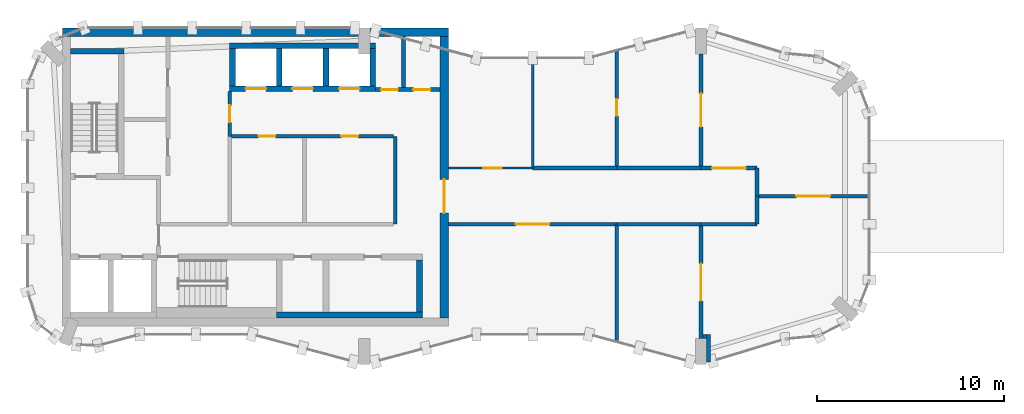
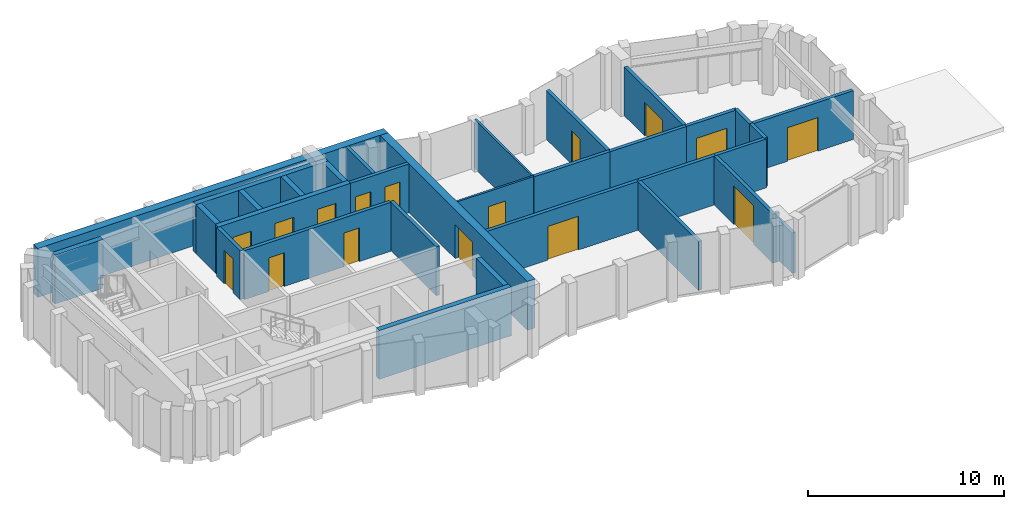
# One storey, part 4 of 6: 33 walls, 16 doors, 16 openings.
"""IFC4 building model written with IfcOpenShell, lengths in metres."""

from ifc_helpers import new_model, si_unit, direction, frame, frame_2d, origin, place, context, subcontext, project, spatial, rectangle, extrude, material, layer, layer_set, type_object, element, fill, save


model = new_model("IFC4")

# Units and contexts
model_context = context("Model", 3, precision=1e-05, world=origin(), true_north=direction((0.0, 1.0)))
body_context = subcontext(model_context, "Body", "Model", "MODEL_VIEW")
ifc_project = project(units=[si_unit("LENGTHUNIT", "METRE"), si_unit("AREAUNIT", "SQUARE_METRE"), si_unit("VOLUMEUNIT", "CUBIC_METRE"), si_unit("PLANEANGLEUNIT", "RADIAN"), si_unit("MASSUNIT", "GRAM", prefix="KILO")], contexts=[model_context])

# Site, building, storey
site_placement = place(None, origin())
site = spatial("IfcSite", under=ifc_project, at=site_placement, CompositionType="ELEMENT")
building_placement = place(site_placement, origin())
building = spatial("IfcBuilding", under=site, at=building_placement, Name="Plateau Cross Towers", CompositionType="ELEMENT")
storey_placement = place(building_placement, frame((0.0, 0.0, 291.39990234375)))
storey = spatial("IfcBuildingStorey", under=building, at=storey_placement, Name="L77 Crown 1", CompositionType="ELEMENT", Elevation=291.39990234375)

# Wall, opening, door
ifc_material_1 = material(Name="Concrete block, plastered both sides", Category="concrete")
ifc_layer_1 = layer(ifc_material_1, 0.199951171875)
ifc_layer_set_1 = layer_set([ifc_layer_1], Name="Concrete block, plastered both sides")
wall_type_1 = type_object("IfcWallType", Name="Core partition 200", PredefinedType="PARTITIONING", material=ifc_layer_set_1)
wall_1_placement = place(storey_placement, frame((10.800048828125, 12.199951171875, 0.0), z_axis=(0.0, 0.0, 1.0), x_axis=(0.0, 1.0, 0.0)))
wall_1 = element("IfcWall", 1, at=wall_1_placement, inside=storey, type_object=wall_type_1, Name="Core partition", PredefinedType="PARTITIONING", context=body_context, shape_type="SweptSolid", body=[
    extrude(rectangle(XDim=2.400146484375, YDim=0.199951171875, at=frame_2d((1.2001953125, 0.0))), origin(), (0.0, 0.0, 1.0), 3.050048828125),
])
opening_1_placement = place(wall_1_placement, frame((0.75, 0.0, 0.0)))
opening_1 = element("IfcOpeningElement", 2, at=opening_1_placement, cuts=wall_1, Name="Opening RD1", PredefinedType="OPENING", context=body_context, shape_type="SweptSolid", body=[
    extrude(rectangle(XDim=0.89990234375, YDim=2.10009765625, at=frame_2d((0.449951171875, 1.050048828125))), frame((0.0, 0.10986328125, 0.0), z_axis=(0.0, -1.0, 0.0), x_axis=(1.0, 0.0, 0.0)), (0.0, 0.0, 1.0), 0.219970703125),
])
ifc_material_2 = material(Name="Timber, fire-resisting leaf", Category="wood")
door_type_1 = type_object("IfcDoorType", Name="Core service door 900", OperationType="NOTDEFINED", PredefinedType="DOOR", material=ifc_material_2)
door_1_placement = place(opening_1_placement, origin())
door_1 = element("IfcDoor", 3, at=door_1_placement, inside=storey, type_object=door_type_1, Name="Core service door RD1", OperationType="SINGLE_SWING_LEFT", OverallHeight=2.10009765625, OverallWidth=0.89990234375, PredefinedType="DOOR", context=body_context, shape_type="SweptSolid", body=[
    extrude(rectangle(XDim=0.89990234375, YDim=2.10009765625, at=frame_2d((0.449951171875, 1.050048828125))), frame((0.0, 0.02490234375, 0.0), z_axis=(0.0, -1.0, 0.0), x_axis=(1.0, 0.0, 0.0)), (0.0, 0.0, 1.0), 0.050048828125),
])
fill(opening_1, door_1)

# Wall
wall_2_placement = place(storey_placement, frame((19.64990234375, 7.5, 0.0), z_axis=(0.0, 0.0, 1.0), x_axis=(0.0, 1.0, 0.0)))
element("IfcWall", 4, at=wall_2_placement, inside=storey, type_object=wall_type_1, Name="Core partition", PredefinedType="PARTITIONING", context=body_context, shape_type="SweptSolid", body=[
    extrude(rectangle(XDim=4.699951171875, YDim=0.199951171875, at=frame_2d((2.35009765625, 0.0))), origin(), (0.0, 0.0, 1.0), 3.050048828125),
])

# Wall, openings, doors
wall_3_placement = place(storey_placement, frame((10.89990234375, 12.199951171875, 0.0), z_axis=(0.0, 0.0, 1.0), x_axis=(1.0, 0.0, 0.0)))
wall_3 = element("IfcWall", 5, at=wall_3_placement, inside=storey, type_object=wall_type_1, Name="Core partition", PredefinedType="PARTITIONING", context=body_context, shape_type="SweptSolid", body=[
    extrude(rectangle(XDim=8.650146484375, YDim=0.199951171875, at=frame_2d((4.3251953125, 0.0))), origin(), (0.0, 0.0, 1.0), 3.050048828125),
])
opening_2_placement = place(wall_3_placement, frame((1.449951171875, 0.0, 0.0)))
opening_2 = element("IfcOpeningElement", 6, at=opening_2_placement, cuts=wall_3, Name="Opening RD1", PredefinedType="OPENING", context=body_context, shape_type="SweptSolid", body=[
    extrude(rectangle(XDim=0.89990234375, YDim=2.10009765625, at=frame_2d((0.449951171875, 1.050048828125))), frame((0.0, 0.10986328125, 0.0), z_axis=(0.0, -1.0, 0.0), x_axis=(1.0, 0.0, 0.0)), (0.0, 0.0, 1.0), 0.219970703125),
])
opening_3_placement = place(wall_3_placement, frame((5.875, 0.0, 0.0)))
opening_3 = element("IfcOpeningElement", 7, at=opening_3_placement, cuts=wall_3, Name="Opening RD1", PredefinedType="OPENING", context=body_context, shape_type="SweptSolid", body=[
    extrude(rectangle(XDim=0.89990234375, YDim=2.10009765625, at=frame_2d((0.449951171875, 1.050048828125))), frame((0.0, 0.10986328125, 0.0), z_axis=(0.0, -1.0, 0.0), x_axis=(1.0, 0.0, 0.0)), (0.0, 0.0, 1.0), 0.219970703125),
])
door_2_placement = place(opening_2_placement, origin())
door_2 = element("IfcDoor", 8, at=door_2_placement, inside=storey, type_object=door_type_1, Name="Core service door RD1", OperationType="SINGLE_SWING_LEFT", OverallHeight=2.10009765625, OverallWidth=0.89990234375, PredefinedType="DOOR", context=body_context, shape_type="SweptSolid", body=[
    extrude(rectangle(XDim=0.89990234375, YDim=2.10009765625, at=frame_2d((0.449951171875, 1.050048828125))), frame((0.0, 0.02490234375, 0.0), z_axis=(0.0, -1.0, 0.0), x_axis=(1.0, 0.0, 0.0)), (0.0, 0.0, 1.0), 0.050048828125),
])
fill(opening_2, door_2)
door_3_placement = place(opening_3_placement, origin())
door_3 = element("IfcDoor", 9, at=door_3_placement, inside=storey, type_object=door_type_1, Name="Core service door RD1", OperationType="SINGLE_SWING_LEFT", OverallHeight=2.10009765625, OverallWidth=0.89990234375, PredefinedType="DOOR", context=body_context, shape_type="SweptSolid", body=[
    extrude(rectangle(XDim=0.89990234375, YDim=2.10009765625, at=frame_2d((0.449951171875, 1.050048828125))), frame((0.0, 0.02490234375, 0.0), z_axis=(0.0, -1.0, 0.0), x_axis=(1.0, 0.0, 0.0)), (0.0, 0.0, 1.0), 0.050048828125),
])
fill(opening_3, door_3)

wall_4_placement = place(storey_placement, frame((18.60009765625, 14.699951171875, 0.0), z_axis=(0.0, 0.0, 1.0), x_axis=(1.0, 0.0, 0.0)))
wall_4 = element("IfcWall", 10, at=wall_4_placement, inside=storey, type_object=wall_type_1, Name="Core partition", PredefinedType="PARTITIONING", context=body_context, shape_type="SweptSolid", body=[
    extrude(rectangle(XDim=3.449951171875, YDim=0.199951171875, at=frame_2d((1.72509765625, 0.0))), origin(), (0.0, 0.0, 1.0), 3.050048828125),
])
opening_4_placement = place(wall_4_placement, frame((0.300048828125, 0.0, 0.0)))
opening_4 = element("IfcOpeningElement", 11, at=opening_4_placement, cuts=wall_4, Name="Opening RD2", PredefinedType="OPENING", context=body_context, shape_type="SweptSolid", body=[
    extrude(rectangle(XDim=0.89990234375, YDim=2.10009765625, at=frame_2d((0.449951171875, 1.050048828125))), frame((0.0, 0.10986328125, 0.0), z_axis=(0.0, -1.0, 0.0), x_axis=(1.0, 0.0, 0.0)), (0.0, 0.0, 1.0), 0.219970703125),
])
opening_5_placement = place(wall_4_placement, frame((2.02490234375, 0.0, 0.0)))
opening_5 = element("IfcOpeningElement", 12, at=opening_5_placement, cuts=wall_4, Name="Opening RD2", PredefinedType="OPENING", context=body_context, shape_type="SweptSolid", body=[
    extrude(rectangle(XDim=0.89990234375, YDim=2.10009765625, at=frame_2d((0.449951171875, 1.050048828125))), frame((0.0, 0.10986328125, 0.0), z_axis=(0.0, -1.0, 0.0), x_axis=(1.0, 0.0, 0.0)), (0.0, 0.0, 1.0), 0.219970703125),
])
ifc_material_3 = material(Name="Steel, fire-resisting leaf", Category="steel")
door_type_2 = type_object("IfcDoorType", Name="Core riser door 900", OperationType="NOTDEFINED", PredefinedType="DOOR", material=ifc_material_3)
door_4_placement = place(opening_4_placement, origin())
door_4 = element("IfcDoor", 13, at=door_4_placement, inside=storey, type_object=door_type_2, Name="Core riser door RD2", OperationType="SINGLE_SWING_LEFT", OverallHeight=2.10009765625, OverallWidth=0.89990234375, PredefinedType="DOOR", context=body_context, shape_type="SweptSolid", body=[
    extrude(rectangle(XDim=0.89990234375, YDim=2.10009765625, at=frame_2d((0.449951171875, 1.050048828125))), frame((0.0, 0.02490234375, 0.0), z_axis=(0.0, -1.0, 0.0), x_axis=(1.0, 0.0, 0.0)), (0.0, 0.0, 1.0), 0.050048828125),
])
fill(opening_4, door_4)
door_5_placement = place(opening_5_placement, origin())
door_5 = element("IfcDoor", 14, at=door_5_placement, inside=storey, type_object=door_type_2, Name="Core riser door RD2", OperationType="SINGLE_SWING_LEFT", OverallHeight=2.10009765625, OverallWidth=0.89990234375, PredefinedType="DOOR", context=body_context, shape_type="SweptSolid", body=[
    extrude(rectangle(XDim=0.89990234375, YDim=2.10009765625, at=frame_2d((0.449951171875, 1.050048828125))), frame((0.0, 0.02490234375, 0.0), z_axis=(0.0, -1.0, 0.0), x_axis=(1.0, 0.0, 0.0)), (0.0, 0.0, 1.0), 0.050048828125),
])
fill(opening_5, door_5)

# Walls
wall_5_placement = place(storey_placement, frame((20.10009765625, 14.800048828125, 0.0), z_axis=(0.0, 0.0, 1.0), x_axis=(0.0, 1.0, 0.0)))
element("IfcWall", 15, at=wall_5_placement, inside=storey, type_object=wall_type_1, Name="Core partition", PredefinedType="PARTITIONING", context=body_context, shape_type="SweptSolid", body=[
    extrude(rectangle(XDim=2.75, YDim=0.199951171875, at=frame_2d((1.375, 0.0))), origin(), (0.0, 0.0, 1.0), 3.050048828125),
])
ifc_material_4 = material(Name="Concrete C60/75", Category="concrete")
ifc_layer_2 = layer(ifc_material_4, 0.300048828125)
ifc_layer_set_2 = layer_set([ifc_layer_2], Name="Concrete C60/75")
wall_type_2 = type_object("IfcWallType", Name="Core shaft wall 300", PredefinedType="SHEAR", material=ifc_layer_set_2)
wall_6_placement = place(storey_placement, frame((13.300048828125, 2.64990234375, 0.0), z_axis=(0.0, 0.0, 1.0), x_axis=(1.0, 0.0, 0.0)))
element("IfcWall", 16, at=wall_6_placement, inside=storey, type_object=wall_type_2, Name="A-sb-back3@L77 Crown 1", PredefinedType="SHEAR", context=body_context, shape_type="SweptSolid", body=[
    extrude(rectangle(XDim=7.800048828125, YDim=0.300048828125, at=frame_2d((3.89990234375, 0.0))), origin(), (0.0, 0.0, 1.0), 3.050048828125),
])
wall_7_placement = place(storey_placement, frame((20.949951171875, 2.800048828125, 0.0), z_axis=(0.0, 0.0, 1.0), x_axis=(0.0, 1.0, 0.0)))
element("IfcWall", 17, at=wall_7_placement, inside=storey, type_object=wall_type_2, Name="A-sb-v6@L77 Crown 1", PredefinedType="SHEAR", context=body_context, shape_type="SweptSolid", body=[
    extrude(rectangle(XDim=2.800048828125, YDim=0.300048828125, at=frame_2d((1.39990234375, 0.0))), origin(), (0.0, 0.0, 1.0), 3.050048828125),
])
wall_8_placement = place(storey_placement, frame((2.300048828125, 16.75, 0.0), z_axis=(0.0, 0.0, 1.0), x_axis=(1.0, 0.0, 0.0)))
element("IfcWall", 18, at=wall_8_placement, inside=storey, type_object=wall_type_2, Name="A-st1-N@L77 Crown 1", PredefinedType="SHEAR", context=body_context, shape_type="SweptSolid", body=[
    extrude(rectangle(XDim=2.849853515625, YDim=0.300048828125, at=frame_2d((1.4248046875, 0.0))), origin(), (0.0, 0.0, 1.0), 3.050048828125),
])
wall_9_placement = place(storey_placement, frame((10.800048828125, 17.050048828125, 0.0), z_axis=(0.0, 0.0, 1.0), x_axis=(1.0, 0.0, 0.0)))
element("IfcWall", 19, at=wall_9_placement, inside=storey, type_object=wall_type_2, Name="A-nb-back@L77 Crown 1", PredefinedType="SHEAR", context=body_context, shape_type="SweptSolid", body=[
    extrude(rectangle(XDim=7.800048828125, YDim=0.300048828125, at=frame_2d((3.89990234375, 0.0))), origin(), (0.0, 0.0, 1.0), 3.050048828125),
])

# Wall, openings, doors
wall_10_placement = place(storey_placement, frame((10.800048828125, 14.75, 0.0), z_axis=(0.0, 0.0, 1.0), x_axis=(1.0, 0.0, 0.0)))
wall_10 = element("IfcWall", 20, at=wall_10_placement, inside=storey, type_object=wall_type_2, Name="A-nb-front@L77 Crown 1", PredefinedType="SHEAR", context=body_context, shape_type="SweptSolid", body=[
    extrude(rectangle(XDim=7.800048828125, YDim=0.300048828125, at=frame_2d((3.89990234375, 0.0))), origin(), (0.0, 0.0, 1.0), 3.050048828125),
])
opening_6_placement = place(wall_10_placement, frame((0.85009765625, 0.0, 0.0)))
opening_6 = element("IfcOpeningElement", 21, at=opening_6_placement, cuts=wall_10, Name="Opening LD", PredefinedType="OPENING", context=body_context, shape_type="SweptSolid", body=[
    extrude(rectangle(XDim=1.10009765625, YDim=2.10009765625, at=frame_2d((0.550048828125, 1.050048828125))), frame((0.0, 0.159912109375, 0.0), z_axis=(0.0, -1.0, 0.0), x_axis=(1.0, 0.0, 0.0)), (0.0, 0.0, 1.0), 0.320068359375),
])
opening_7_placement = place(wall_10_placement, frame((3.35009765625, 0.0, 0.0)))
opening_7 = element("IfcOpeningElement", 22, at=opening_7_placement, cuts=wall_10, Name="Opening LD", PredefinedType="OPENING", context=body_context, shape_type="SweptSolid", body=[
    extrude(rectangle(XDim=1.10009765625, YDim=2.10009765625, at=frame_2d((0.550048828125, 1.050048828125))), frame((0.0, 0.159912109375, 0.0), z_axis=(0.0, -1.0, 0.0), x_axis=(1.0, 0.0, 0.0)), (0.0, 0.0, 1.0), 0.320068359375),
])
opening_8_placement = place(wall_10_placement, frame((5.85009765625, 0.0, 0.0)))
opening_8 = element("IfcOpeningElement", 23, at=opening_8_placement, cuts=wall_10, Name="Opening LD", PredefinedType="OPENING", context=body_context, shape_type="SweptSolid", body=[
    extrude(rectangle(XDim=1.10009765625, YDim=2.10009765625, at=frame_2d((0.550048828125, 1.050048828125))), frame((0.0, 0.159912109375, 0.0), z_axis=(0.0, -1.0, 0.0), x_axis=(1.0, 0.0, 0.0)), (0.0, 0.0, 1.0), 0.320068359375),
])
ifc_material_5 = material(Name="Stainless steel, fire-resisting sliding leaves", Category="steel")
door_type_3 = type_object("IfcDoorType", Name="Lift landing door 1100", OperationType="NOTDEFINED", PredefinedType="DOOR", material=ifc_material_5)
door_6_placement = place(opening_6_placement, origin())
door_6 = element("IfcDoor", 24, at=door_6_placement, inside=storey, type_object=door_type_3, Name="Lift landing door LD", OperationType="DOUBLE_DOOR_SLIDING", OverallHeight=2.10009765625, OverallWidth=1.10009765625, PredefinedType="DOOR", context=body_context, shape_type="SweptSolid", body=[
    extrude(rectangle(XDim=1.10009765625, YDim=2.10009765625, at=frame_2d((0.550048828125, 1.050048828125))), frame((0.0, 0.02490234375, 0.0), z_axis=(0.0, -1.0, 0.0), x_axis=(1.0, 0.0, 0.0)), (0.0, 0.0, 1.0), 0.050048828125),
])
fill(opening_6, door_6)
door_7_placement = place(opening_7_placement, origin())
door_7 = element("IfcDoor", 25, at=door_7_placement, inside=storey, type_object=door_type_3, Name="Lift landing door LD", OperationType="DOUBLE_DOOR_SLIDING", OverallHeight=2.10009765625, OverallWidth=1.10009765625, PredefinedType="DOOR", context=body_context, shape_type="SweptSolid", body=[
    extrude(rectangle(XDim=1.10009765625, YDim=2.10009765625, at=frame_2d((0.550048828125, 1.050048828125))), frame((0.0, 0.02490234375, 0.0), z_axis=(0.0, -1.0, 0.0), x_axis=(1.0, 0.0, 0.0)), (0.0, 0.0, 1.0), 0.050048828125),
])
fill(opening_7, door_7)
door_8_placement = place(opening_8_placement, origin())
door_8 = element("IfcDoor", 26, at=door_8_placement, inside=storey, type_object=door_type_3, Name="Lift landing door LD", OperationType="DOUBLE_DOOR_SLIDING", OverallHeight=2.10009765625, OverallWidth=1.10009765625, PredefinedType="DOOR", context=body_context, shape_type="SweptSolid", body=[
    extrude(rectangle(XDim=1.10009765625, YDim=2.10009765625, at=frame_2d((0.550048828125, 1.050048828125))), frame((0.0, 0.02490234375, 0.0), z_axis=(0.0, -1.0, 0.0), x_axis=(1.0, 0.0, 0.0)), (0.0, 0.0, 1.0), 0.050048828125),
])
fill(opening_8, door_8)

# Walls
for number, where, z_axis, x_axis, name in (
    (27, (10.949951171875, 14.89990234375, 0.0), (0.0, 0.0, 1.0), (0.0, 1.0, 0.0), "A-nb-v1@L77 Crown 1"),
    (28, (13.449951171875, 14.89990234375, 0.0), (0.0, 0.0, 1.0), (0.0, 1.0, 0.0), "A-nb-v2@L77 Crown 1"),
    (29, (15.949951171875, 14.89990234375, 0.0), (0.0, 0.0, 1.0), (0.0, 1.0, 0.0), "A-nb-v3@L77 Crown 1"),
    (30, (18.449951171875, 14.89990234375, 0.0), (0.0, 0.0, 1.0), (0.0, 1.0, 0.0), "A-nb-v4@L77 Crown 1"),
):
    element("IfcWall", number, at=place(storey_placement, frame(where, z_axis=z_axis, x_axis=x_axis)), inside=storey, type_object=wall_type_2, Name=name, PredefinedType="SHEAR", context=body_context, shape_type="SweptSolid", body=[
        extrude(rectangle(XDim=2.0, YDim=0.300048828125, at=frame_2d((1.0, 0.0))), origin(), (0.0, 0.0, 1.0), 3.050048828125),
    ])
ifc_layer_3 = layer(ifc_material_4, 0.449951171875)
ifc_layer_set_3 = layer_set([ifc_layer_3], Name="Concrete C60/75")
wall_type_3 = type_object("IfcWallType", Name="Core shell wall 450", PredefinedType="SHEAR", material=ifc_layer_set_3)
wall_11_placement = place(storey_placement, frame((1.85009765625, 17.77490234375, 0.0), z_axis=(0.0, 0.0, 1.0), x_axis=(1.0, 0.0, 0.0)))
element("IfcWall", 31, at=wall_11_placement, inside=storey, type_object=wall_type_3, Name="A-core-N@L77 Crown 1", PredefinedType="SHEAR", context=body_context, shape_type="SweptSolid", body=[
    extrude(rectangle(XDim=20.64990234375, YDim=0.449951171875, at=frame_2d((10.324951171875, 0.0))), origin(), (0.0, 0.0, 1.0), 3.050048828125),
])

# Wall, opening, door
wall_12_placement = place(storey_placement, frame((22.27490234375, 2.5, 0.0), z_axis=(0.0, 0.0, 1.0), x_axis=(0.0, 1.0, 0.0)))
wall_12 = element("IfcWall", 32, at=wall_12_placement, inside=storey, type_object=wall_type_3, Name="A-core-E@L77 Crown 1", PredefinedType="SHEAR", context=body_context, shape_type="SweptSolid", body=[
    extrude(rectangle(XDim=15.050048828125, YDim=0.449951171875, at=frame_2d((7.52490234375, 0.0))), origin(), (0.0, 0.0, 1.0), 3.050048828125),
])
opening_9_placement = place(wall_12_placement, frame((5.60009765625, 0.0, 0.0)))
opening_9 = element("IfcOpeningElement", 33, at=opening_9_placement, cuts=wall_12, Name="Opening CD", PredefinedType="OPENING", context=body_context, shape_type="SweptSolid", body=[
    extrude(rectangle(XDim=1.800048828125, YDim=2.10009765625, at=frame_2d((0.89990234375, 1.050048828125))), frame((0.0, 0.23486328125, 0.0), z_axis=(0.0, -1.0, 0.0), x_axis=(1.0, 0.0, 0.0)), (0.0, 0.0, 1.0), 0.469970703125),
])
ifc_material_6 = material(Name="Steel, fire-resisting leaves", Category="steel")
door_type_4 = type_object("IfcDoorType", Name="Corridor door pair 1800", OperationType="NOTDEFINED", PredefinedType="DOOR", material=ifc_material_6)
door_9_placement = place(opening_9_placement, origin())
door_9 = element("IfcDoor", 34, at=door_9_placement, inside=storey, type_object=door_type_4, Name="Corridor door pair CD", OperationType="DOUBLE_DOOR_SINGLE_SWING", OverallHeight=2.10009765625, OverallWidth=1.800048828125, PredefinedType="DOOR", context=body_context, shape_type="SweptSolid", body=[
    extrude(rectangle(XDim=1.800048828125, YDim=2.10009765625, at=frame_2d((0.89990234375, 1.050048828125))), frame((0.0, 0.02490234375, 0.0), z_axis=(0.0, -1.0, 0.0), x_axis=(1.0, 0.0, 0.0)), (0.0, 0.0, 1.0), 0.050048828125),
])
fill(opening_9, door_9)

ifc_material_7 = material(Name="Gypsum board on steel studs", Category="steel")
ifc_layer_4 = layer(ifc_material_7, 0.199951171875)
ifc_layer_set_4 = layer_set([ifc_layer_4], Name="Gypsum board on steel studs")
wall_type_4 = type_object("IfcWallType", Name="Podium partition 200", PredefinedType="PARTITIONING", material=ifc_layer_set_4)
wall_13_placement = place(storey_placement, frame((31.5, 7.5, 0.0), z_axis=(0.0, 0.0, 1.0), x_axis=(-1.0, 0.0, 0.0)))
wall_13 = element("IfcWall", 35, at=wall_13_placement, inside=storey, type_object=wall_type_4, Name="Partition wall", PredefinedType="PARTITIONING", context=body_context, shape_type="SweptSolid", body=[
    extrude(rectangle(XDim=9.0, YDim=0.199951171875, at=frame_2d((4.5, 0.0))), origin(), (0.0, 0.0, 1.0), 3.050048828125),
])
opening_10_placement = place(wall_13_placement, frame((3.60009765625, 0.0, 0.0)))
opening_10 = element("IfcOpeningElement", 36, at=opening_10_placement, cuts=wall_13, Name="Opening 771-04", PredefinedType="OPENING", context=body_context, shape_type="SweptSolid", body=[
    extrude(rectangle(XDim=1.800048828125, YDim=2.10009765625, at=frame_2d((0.89990234375, 1.050048828125))), frame((0.0, 0.10986328125, 0.0), z_axis=(0.0, -1.0, 0.0), x_axis=(1.0, 0.0, 0.0)), (0.0, 0.0, 1.0), 0.219970703125),
])
ifc_material_8 = material(Name="Aluminium frame, toughened glass", Category="aluminium")
door_type_5 = type_object("IfcDoorType", Name="Podium door pair 1800", OperationType="NOTDEFINED", PredefinedType="DOOR", material=ifc_material_8)
door_10_placement = place(opening_10_placement, origin())
door_10 = element("IfcDoor", 37, at=door_10_placement, inside=storey, type_object=door_type_5, Name="Door 771-04", OperationType="DOUBLE_DOOR_SINGLE_SWING", OverallHeight=2.10009765625, OverallWidth=1.800048828125, PredefinedType="DOOR", context=body_context, shape_type="SweptSolid", body=[
    extrude(rectangle(XDim=1.800048828125, YDim=2.10009765625, at=frame_2d((0.89990234375, 1.050048828125))), frame((0.0, 0.02490234375, 0.0), z_axis=(0.0, -1.0, 0.0), x_axis=(1.0, 0.0, 0.0)), (0.0, 0.0, 1.0), 0.050048828125),
])
fill(opening_10, door_10)

wall_14_placement = place(storey_placement, frame((36.0, 7.5, 0.0), z_axis=(0.0, 0.0, 1.0), x_axis=(0.0, -1.0, 0.0)))
wall_14 = element("IfcWall", 38, at=wall_14_placement, inside=storey, type_object=wall_type_4, Name="Partition wall", PredefinedType="PARTITIONING", context=body_context, shape_type="SweptSolid", body=[
    extrude(rectangle(XDim=6.10009765625, YDim=0.199951171875, at=frame_2d((3.050048828125, 0.0))), origin(), (0.0, 0.0, 1.0), 3.050048828125),
])
opening_11_placement = place(wall_14_placement, frame((2.10009765625, 0.0, 0.0)))
opening_11 = element("IfcOpeningElement", 39, at=opening_11_placement, cuts=wall_14, Name="Opening 771-01", PredefinedType="OPENING", context=body_context, shape_type="SweptSolid", body=[
    extrude(rectangle(XDim=2.0, YDim=2.39990234375, at=frame_2d((1.0, 1.199951171875))), frame((0.0, 0.10986328125, 0.0), z_axis=(0.0, -1.0, 0.0), x_axis=(1.0, 0.0, 0.0)), (0.0, 0.0, 1.0), 0.219970703125),
])
door_type_6 = type_object("IfcDoorType", Name="Shop entrance double door 2000x2400", OperationType="NOTDEFINED", PredefinedType="DOOR", material=ifc_material_8)
door_11_placement = place(opening_11_placement, origin())
door_11 = element("IfcDoor", 40, at=door_11_placement, inside=storey, type_object=door_type_6, Name="Door 771-01", OperationType="SINGLE_SWING_LEFT", OverallHeight=2.39990234375, OverallWidth=2.0, PredefinedType="DOOR", context=body_context, shape_type="SweptSolid", body=[
    extrude(rectangle(XDim=2.0, YDim=2.39990234375, at=frame_2d((1.0, 1.199951171875))), frame((0.0, 0.02490234375, 0.0), z_axis=(0.0, -1.0, 0.0), x_axis=(1.0, 0.0, 0.0)), (0.0, 0.0, 1.0), 0.050048828125),
])
fill(opening_11, door_11)

# Walls
wall_15_placement = place(storey_placement, frame((36.10009765625, 1.5, 0.0), z_axis=(0.0, 0.0, 1.0), x_axis=(1.0, 0.0, 0.0)))
element("IfcWall", 41, at=wall_15_placement, inside=storey, type_object=wall_type_4, Name="Partition wall", PredefinedType="PARTITIONING", context=body_context, shape_type="SweptSolid", body=[
    extrude(rectangle(XDim=0.199951171875, YDim=0.199951171875, at=frame_2d((0.10009765625, 0.0))), origin(), (0.0, 0.0, 1.0), 3.050048828125),
])
wall_16_placement = place(storey_placement, frame((36.39990234375, 1.60009765625, 0.0), z_axis=(0.0, 0.0, 1.0), x_axis=(0.0, -1.0, 0.0)))
element("IfcWall", 42, at=wall_16_placement, inside=storey, type_object=wall_type_4, Name="Partition wall", PredefinedType="PARTITIONING", context=body_context, shape_type="SweptSolid", body=[
    extrude(rectangle(XDim=1.47900390625, YDim=0.199951171875, at=frame_2d((0.739501953125, 0.0))), origin(), (0.0, 0.0, 1.0), 2.51708984375),
])

# Wall, opening, door
wall_17_placement = place(storey_placement, frame((36.0, 16.60009765625, 0.0), z_axis=(0.0, 0.0, 1.0), x_axis=(0.0, -1.0, 0.0)))
wall_17 = element("IfcWall", 43, at=wall_17_placement, inside=storey, type_object=wall_type_4, Name="Partition wall", PredefinedType="PARTITIONING", context=body_context, shape_type="SweptSolid", body=[
    extrude(rectangle(XDim=6.10009765625, YDim=0.199951171875, at=frame_2d((3.050048828125, 0.0))), origin(), (0.0, 0.0, 1.0), 3.050048828125),
])
opening_12_placement = place(wall_17_placement, frame((2.10009765625, 0.0, 0.0)))
opening_12 = element("IfcOpeningElement", 44, at=opening_12_placement, cuts=wall_17, Name="Opening 771-05", PredefinedType="OPENING", context=body_context, shape_type="SweptSolid", body=[
    extrude(rectangle(XDim=1.800048828125, YDim=2.10009765625, at=frame_2d((0.89990234375, 1.050048828125))), frame((0.0, 0.10986328125, 0.0), z_axis=(0.0, -1.0, 0.0), x_axis=(1.0, 0.0, 0.0)), (0.0, 0.0, 1.0), 0.219970703125),
])
door_12_placement = place(opening_12_placement, origin())
door_12 = element("IfcDoor", 45, at=door_12_placement, inside=storey, type_object=door_type_5, Name="Door 771-05", OperationType="DOUBLE_DOOR_SINGLE_SWING", OverallHeight=2.10009765625, OverallWidth=1.800048828125, PredefinedType="DOOR", context=body_context, shape_type="SweptSolid", body=[
    extrude(rectangle(XDim=1.800048828125, YDim=2.10009765625, at=frame_2d((0.89990234375, 1.050048828125))), frame((0.0, 0.02490234375, 0.0), z_axis=(0.0, -1.0, 0.0), x_axis=(1.0, 0.0, 0.0)), (0.0, 0.0, 1.0), 0.050048828125),
])
fill(opening_12, door_12)

wall_18_placement = place(storey_placement, frame((31.5, 16.794921875, 0.0), z_axis=(0.0, 0.0, 1.0), x_axis=(0.0, -1.0, 0.0)))
wall_18 = element("IfcWall", 46, at=wall_18_placement, inside=storey, type_object=wall_type_4, Name="Partition wall", PredefinedType="PARTITIONING", context=body_context, shape_type="SweptSolid", body=[
    extrude(rectangle(XDim=6.294921875, YDim=0.199951171875, at=frame_2d((3.1474609375, 0.0))), origin(), (0.0, 0.0, 1.0), 3.050048828125),
])
opening_13_placement = place(wall_18_placement, frame((2.60009765625, 0.0, 0.0)))
opening_13 = element("IfcOpeningElement", 47, at=opening_13_placement, cuts=wall_18, Name="Opening 771-03", PredefinedType="OPENING", context=body_context, shape_type="SweptSolid", body=[
    extrude(rectangle(XDim=0.89990234375, YDim=2.10009765625, at=frame_2d((0.449951171875, 1.050048828125))), frame((0.0, 0.10986328125, 0.0), z_axis=(0.0, -1.0, 0.0), x_axis=(1.0, 0.0, 0.0)), (0.0, 0.0, 1.0), 0.219970703125),
])
ifc_material_9 = material(Name="Timber leaf", Category="wood")
door_type_7 = type_object("IfcDoorType", Name="Podium room door 900", OperationType="NOTDEFINED", PredefinedType="DOOR", material=ifc_material_9)
door_13_placement = place(opening_13_placement, origin())
door_13 = element("IfcDoor", 48, at=door_13_placement, inside=storey, type_object=door_type_7, Name="Door 771-03", OperationType="SINGLE_SWING_LEFT", OverallHeight=2.10009765625, OverallWidth=0.89990234375, PredefinedType="DOOR", context=body_context, shape_type="SweptSolid", body=[
    extrude(rectangle(XDim=0.89990234375, YDim=2.10009765625, at=frame_2d((0.449951171875, 1.050048828125))), frame((0.0, 0.02490234375, 0.0), z_axis=(0.0, -1.0, 0.0), x_axis=(1.0, 0.0, 0.0)), (0.0, 0.0, 1.0), 0.050048828125),
])
fill(opening_13, door_13)

# Wall
wall_19_placement = place(storey_placement, frame((31.5, 7.5, 0.0), z_axis=(0.0, 0.0, 1.0), x_axis=(0.0, -1.0, 0.0)))
element("IfcWall", 49, at=wall_19_placement, inside=storey, type_object=wall_type_4, Name="Partition wall", PredefinedType="PARTITIONING", context=body_context, shape_type="SweptSolid", body=[
    extrude(rectangle(XDim=6.294921875, YDim=0.199951171875, at=frame_2d((3.1474609375, 0.0))), origin(), (0.0, 0.0, 1.0), 3.050048828125),
])

# Wall, opening, door
wall_20_placement = place(storey_placement, frame((39.0, 9.0, 0.0), z_axis=(0.0, 0.0, 1.0), x_axis=(1.0, 0.0, 0.0)))
wall_20 = element("IfcWall", 50, at=wall_20_placement, inside=storey, type_object=wall_type_4, Name="Partition wall", PredefinedType="PARTITIONING", context=body_context, shape_type="SweptSolid", body=[
    extrude(rectangle(XDim=6.0, YDim=0.199951171875, at=frame_2d((3.0, 0.0))), origin(), (0.0, 0.0, 1.0), 3.050048828125),
])
opening_14_placement = place(wall_20_placement, frame((2.10009765625, 0.0, 0.0)))
opening_14 = element("IfcOpeningElement", 51, at=opening_14_placement, cuts=wall_20, Name="Opening 771-06", PredefinedType="OPENING", context=body_context, shape_type="SweptSolid", body=[
    extrude(rectangle(XDim=1.800048828125, YDim=2.10009765625, at=frame_2d((0.89990234375, 1.050048828125))), frame((0.0, 0.10986328125, 0.0), z_axis=(0.0, -1.0, 0.0), x_axis=(1.0, 0.0, 0.0)), (0.0, 0.0, 1.0), 0.219970703125),
])
door_14_placement = place(opening_14_placement, origin())
door_14 = element("IfcDoor", 52, at=door_14_placement, inside=storey, type_object=door_type_5, Name="Door 771-06", OperationType="DOUBLE_DOOR_SINGLE_SWING", OverallHeight=2.10009765625, OverallWidth=1.800048828125, PredefinedType="DOOR", context=body_context, shape_type="SweptSolid", body=[
    extrude(rectangle(XDim=1.800048828125, YDim=2.10009765625, at=frame_2d((0.89990234375, 1.050048828125))), frame((0.0, 0.02490234375, 0.0), z_axis=(0.0, -1.0, 0.0), x_axis=(1.0, 0.0, 0.0)), (0.0, 0.0, 1.0), 0.050048828125),
])
fill(opening_14, door_14)

# Walls
wall_21_placement = place(storey_placement, frame((39.0, 9.0, 0.0), z_axis=(0.0, 0.0, 1.0), x_axis=(0.0, -1.0, 0.0)))
element("IfcWall", 53, at=wall_21_placement, inside=storey, type_object=wall_type_4, Name="Partition wall", PredefinedType="PARTITIONING", context=body_context, shape_type="SweptSolid", body=[
    extrude(rectangle(XDim=1.5, YDim=0.199951171875, at=frame_2d((0.75, 0.0))), origin(), (0.0, 0.0, 1.0), 3.050048828125),
])
wall_22_placement = place(storey_placement, frame((39.0, 7.5, 0.0), z_axis=(0.0, 0.0, 1.0), x_axis=(-1.0, 0.0, 0.0)))
element("IfcWall", 54, at=wall_22_placement, inside=storey, type_object=wall_type_4, Name="Partition wall", PredefinedType="PARTITIONING", context=body_context, shape_type="SweptSolid", body=[
    extrude(rectangle(XDim=3.0, YDim=0.199951171875, at=frame_2d((1.5, 0.0))), origin(), (0.0, 0.0, 1.0), 3.050048828125),
])
for number, where, z_axis, x_axis, name in (
    (55, (31.5, 10.5, 0.0), (0.0, 0.0, 1.0), (1.0, 0.0, 0.0), "Partition wall"),
    (56, (27.0, 10.5, 0.0), (0.0, 0.0, 1.0), (1.0, 0.0, 0.0), "Partition wall"),
    (57, (36.0, 7.5, 0.0), (0.0, 0.0, 1.0), (-1.0, 0.0, 0.0), "Partition wall"),
):
    element("IfcWall", number, at=place(storey_placement, frame(where, z_axis=z_axis, x_axis=x_axis)), inside=storey, type_object=wall_type_4, Name=name, PredefinedType="PARTITIONING", context=body_context, shape_type="SweptSolid", body=[
        extrude(rectangle(XDim=4.5, YDim=0.199951171875, at=frame_2d((2.25, 0.0))), origin(), (0.0, 0.0, 1.0), 3.050048828125),
    ])

# Wall, opening, door
wall_23_placement = place(storey_placement, frame((36.0, 10.5, 0.0), z_axis=(0.0, 0.0, 1.0), x_axis=(1.0, 0.0, 0.0)))
wall_23 = element("IfcWall", 58, at=wall_23_placement, inside=storey, type_object=wall_type_4, Name="Partition wall", PredefinedType="PARTITIONING", context=body_context, shape_type="SweptSolid", body=[
    extrude(rectangle(XDim=3.0, YDim=0.199951171875, at=frame_2d((1.5, 0.0))), origin(), (0.0, 0.0, 1.0), 3.050048828125),
])
opening_15_placement = place(wall_23_placement, frame((0.60009765625, 0.0, 0.0)))
opening_15 = element("IfcOpeningElement", 59, at=opening_15_placement, cuts=wall_23, Name="Opening 771-07", PredefinedType="OPENING", context=body_context, shape_type="SweptSolid", body=[
    extrude(rectangle(XDim=1.800048828125, YDim=2.10009765625, at=frame_2d((0.89990234375, 1.050048828125))), frame((0.0, 0.10986328125, 0.0), z_axis=(0.0, -1.0, 0.0), x_axis=(1.0, 0.0, 0.0)), (0.0, 0.0, 1.0), 0.219970703125),
])
door_15_placement = place(opening_15_placement, origin())
door_15 = element("IfcDoor", 60, at=door_15_placement, inside=storey, type_object=door_type_5, Name="Door 771-07", OperationType="DOUBLE_DOOR_SINGLE_SWING", OverallHeight=2.10009765625, OverallWidth=1.800048828125, PredefinedType="DOOR", context=body_context, shape_type="SweptSolid", body=[
    extrude(rectangle(XDim=1.800048828125, YDim=2.10009765625, at=frame_2d((0.89990234375, 1.050048828125))), frame((0.0, 0.02490234375, 0.0), z_axis=(0.0, -1.0, 0.0), x_axis=(1.0, 0.0, 0.0)), (0.0, 0.0, 1.0), 0.050048828125),
])
fill(opening_15, door_15)

# Walls
wall_24_placement = place(storey_placement, frame((39.0, 10.5, 0.0), z_axis=(0.0, 0.0, 1.0), x_axis=(0.0, -1.0, 0.0)))
element("IfcWall", 61, at=wall_24_placement, inside=storey, type_object=wall_type_4, Name="Partition wall", PredefinedType="PARTITIONING", context=body_context, shape_type="SweptSolid", body=[
    extrude(rectangle(XDim=1.5, YDim=0.199951171875, at=frame_2d((0.75, 0.0))), origin(), (0.0, 0.0, 1.0), 3.050048828125),
])
ifc_material_10 = material(Name="Moisture-resistant board on steel studs, tiled one side", Category="steel")
ifc_layer_5 = layer(ifc_material_10, 0.1201171875)
ifc_layer_set_5 = layer_set([ifc_layer_5], Name="Moisture-resistant board on steel studs, tiled one side")
wall_type_5 = type_object("IfcWallType", Name="Sanitary partition 120", PredefinedType="PARTITIONING", material=ifc_layer_set_5)
wall_25_placement = place(storey_placement, frame((27.0, 16.39306640625, 0.0), z_axis=(0.0, 0.0, 1.0), x_axis=(0.0, -1.0, 0.0)))
element("IfcWall", 62, at=wall_25_placement, inside=storey, type_object=wall_type_5, Name="Partition wall", PredefinedType="PARTITIONING", context=body_context, shape_type="SweptSolid", body=[
    extrude(rectangle(XDim=5.89306640625, YDim=0.1201171875, at=frame_2d((2.946533203125, 0.0))), origin(), (0.0, 0.0, 1.0), 3.050048828125),
])

# Wall, opening, door
wall_26_placement = place(storey_placement, frame((22.5, 10.5, 0.0), z_axis=(0.0, 0.0, 1.0), x_axis=(1.0, 0.0, 0.0)))
wall_26 = element("IfcWall", 63, at=wall_26_placement, inside=storey, type_object=wall_type_5, Name="Partition wall", PredefinedType="PARTITIONING", context=body_context, shape_type="SweptSolid", body=[
    extrude(rectangle(XDim=4.5, YDim=0.1201171875, at=frame_2d((2.25, 0.0))), origin(), (0.0, 0.0, 1.0), 3.050048828125),
])
opening_16_placement = place(wall_26_placement, frame((1.85009765625, 0.0, 0.0)))
opening_16 = element("IfcOpeningElement", 64, at=opening_16_placement, cuts=wall_26, Name="Opening 771-02", PredefinedType="OPENING", context=body_context, shape_type="SweptSolid", body=[
    extrude(rectangle(XDim=1.0, YDim=2.10009765625, at=frame_2d((0.5, 1.050048828125))), frame((0.0, 0.070068359375, 0.0), z_axis=(0.0, -1.0, 0.0), x_axis=(1.0, 0.0, 0.0)), (0.0, 0.0, 1.0), 0.14013671875),
])
door_type_8 = type_object("IfcDoorType", Name="Podium clinic door 1000", OperationType="NOTDEFINED", PredefinedType="DOOR", material=ifc_material_9)
door_16_placement = place(opening_16_placement, origin())
door_16 = element("IfcDoor", 65, at=door_16_placement, inside=storey, type_object=door_type_8, Name="Door 771-02", OperationType="SINGLE_SWING_LEFT", OverallHeight=2.10009765625, OverallWidth=1.0, PredefinedType="DOOR", context=body_context, shape_type="SweptSolid", body=[
    extrude(rectangle(XDim=1.0, YDim=2.10009765625, at=frame_2d((0.5, 1.050048828125))), frame((0.0, 0.02490234375, 0.0), z_axis=(0.0, -1.0, 0.0), x_axis=(1.0, 0.0, 0.0)), (0.0, 0.0, 1.0), 0.050048828125),
])
fill(opening_16, door_16)

save(model, "model.ifc")
